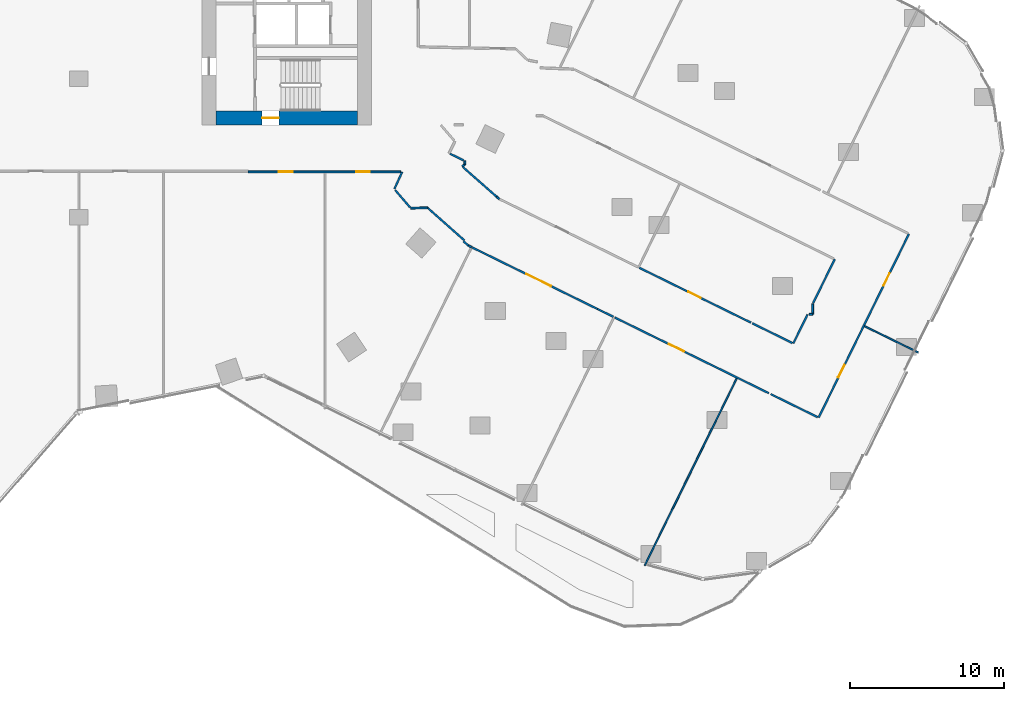
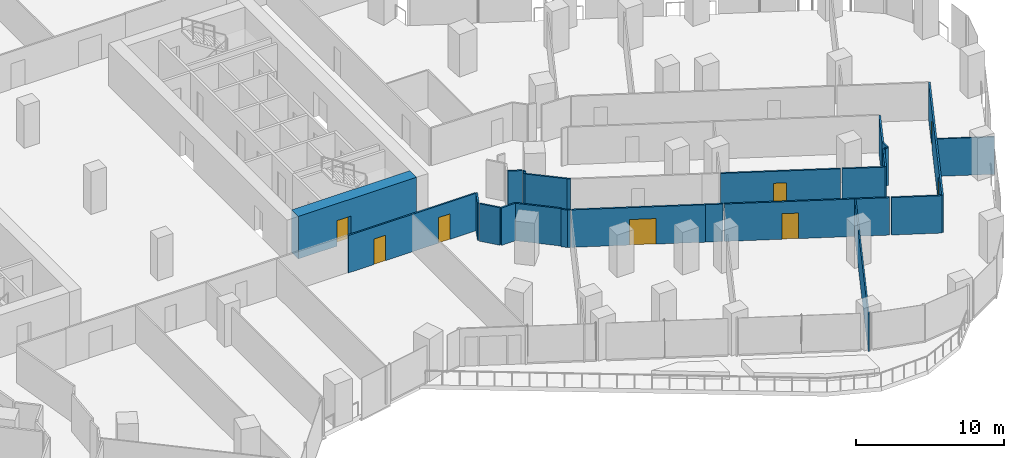
# One storey, part 25 of 32: 26 walls, 8 doors, 8 openings.
"""IFC4 building model written with IfcOpenShell, lengths in metres."""

import ifcopenshell
import ifcopenshell.guid

model = None  # the IFC model being written
_history = None  # IfcOwnerHistory: only IFC2X3 demands one
_inside = {}  # id of a spatial element -> (the spatial element, [elements in it])
_under = {}  # id of a project, library or spatial element -> (it, [spatial elements below it])
_declared = {}  # id of a project -> (the project, [libraries it declares])
_typed = {}  # id of a type object -> (the type object, [elements of that type])
_made_of = {}  # id of a material, layer set ... -> (it, [elements and type objects made of it])


def new_model(schema):
    """Start an empty IFC model of exactly this schema.

    Asked for "IFC4X3", IfcOpenShell would pick the latest addendum, in which some entities
    have other attributes; the version numbers below select the first issue.
    IFC2X3 requires an IfcOwnerHistory on every rooted entity: one is made here for all.
    """
    global model, _history
    if schema == "IFC4X3":
        model = ifcopenshell.file(schema_version=(4, 3, 0, 0))
    else:
        model = ifcopenshell.file(schema=schema)
    _inside.clear()
    _under.clear()
    _declared.clear()
    _typed.clear()
    _made_of.clear()
    _history = None
    if model.schema == "IFC2X3":
        org = make("IfcOrganization", Name="unknown")
        user = make(
            "IfcPersonAndOrganization",
            ThePerson=make("IfcPerson", FamilyName="unknown"),
            TheOrganization=org,
        )
        app = make(
            "IfcApplication",
            ApplicationDeveloper=org,
            Version="unknown",
            ApplicationFullName="unknown",
            ApplicationIdentifier="unknown",
        )
        _history = make(
            "IfcOwnerHistory",
            OwningUser=user,
            OwningApplication=app,
            ChangeAction="ADDED",
            CreationDate=0,
        )
    return model


def make(cls, **values):
    """One entity of the class cls with the attributes given. An attribute that is None is left unset."""
    return model.create_entity(
        cls, **{name: value for name, value in values.items() if value is not None}
    )


def rooted(cls, **values):
    """An entity with a GlobalId (a new one), such as an element, a storey or a relation."""
    return make(cls, GlobalId=ifcopenshell.guid.new(), OwnerHistory=_history, **values)


def si_unit(unit_type, name, prefix=None):
    """IfcSIUnit, for example si_unit("LENGTHUNIT", "METRE", prefix="MILLI")."""
    return make("IfcSIUnit", UnitType=unit_type, Prefix=prefix, Name=name)


def assignment(units):
    """IfcUnitAssignment: the units of a project."""
    return None if units is None else make("IfcUnitAssignment", Units=units)


def point(xyz):
    """IfcCartesianPoint."""
    return None if xyz is None else make("IfcCartesianPoint", Coordinates=xyz)


def direction(xyz):
    """IfcDirection."""
    return None if xyz is None else make("IfcDirection", DirectionRatios=xyz)


def frame(location, z_axis=None, x_axis=None):
    """IfcAxis2Placement3D, a coordinate frame: its origin and axes. An axis left out is left unset."""
    return make(
        "IfcAxis2Placement3D",
        Location=point(location),
        Axis=direction(z_axis),
        RefDirection=direction(x_axis),
    )


def frame_2d(location, x_axis=None):
    """IfcAxis2Placement2D, a coordinate frame in the plane: its origin and x axis."""
    return make(
        "IfcAxis2Placement2D", Location=point(location), RefDirection=direction(x_axis)
    )


def origin():
    """The frame at (0, 0, 0) with its axes left unset."""
    return frame((0.0, 0.0, 0.0))


def place(relative_to, where):
    """IfcLocalPlacement: puts the frame where relative to a parent placement (None: the world)."""
    return make(
        "IfcLocalPlacement", PlacementRelTo=relative_to, RelativePlacement=where
    )


def context(
    kind, dimensions, precision=None, world=None, true_north=None, identifier=None
):
    """IfcGeometricRepresentationContext, for example the 3D "Model" context."""
    return make(
        "IfcGeometricRepresentationContext",
        ContextIdentifier=identifier,
        ContextType=kind,
        CoordinateSpaceDimension=dimensions,
        Precision=precision,
        WorldCoordinateSystem=world,
        TrueNorth=true_north,
    )


def subcontext(parent, identifier, kind, view, scale=None):
    """IfcGeometricRepresentationSubContext, for example "Body" below "Model"."""
    return make(
        "IfcGeometricRepresentationSubContext",
        ContextIdentifier=identifier,
        ContextType=kind,
        ParentContext=parent,
        TargetScale=scale,
        TargetView=view,
    )


def project(units=None, contexts=None):
    """IfcProject with its units and contexts."""
    return rooted(
        "IfcProject",
        Name="project",
        RepresentationContexts=contexts,
        UnitsInContext=assignment(units),
    )


def spatial(cls, under=None, at=None, **own):
    """A site, building, storey or space (cls), placed at a placement, below another one or the project."""
    s = rooted(cls, ObjectPlacement=at, **own)
    if under is not None:
        _under.setdefault(under.id(), (under, []))[1].append(s)
    return s


def profile(cls, at=None, kind="AREA", **sizes):
    """A parametric profile (cls). Its sizes go by their IFC names, for example OverallWidth=200.0."""
    return make(cls, ProfileType=kind, Position=at, **sizes)


def rectangle(**sizes):
    """IfcRectangleProfileDef."""
    return profile("IfcRectangleProfileDef", **sizes)


def extrude(swept, where, along, depth):
    """IfcExtrudedAreaSolid: the profile swept, set in the frame where, extruded along a direction by depth."""
    return make(
        "IfcExtrudedAreaSolid",
        SweptArea=swept,
        Position=where,
        ExtrudedDirection=direction(along),
        Depth=depth,
    )


def shape(context_of_items, identifier, shape_type, items):
    """IfcShapeRepresentation: the items that make up one representation, for example the "Body"."""
    return make(
        "IfcShapeRepresentation",
        ContextOfItems=context_of_items,
        RepresentationIdentifier=identifier,
        RepresentationType=shape_type,
        Items=items,
    )


def material(Name=None, Category=None):
    """IfcMaterial."""
    return make("IfcMaterial", Name=Name, Category=Category)


def layer(
    of_material, thickness, ventilated=None, Name=None, Category=None, Priority=None
):
    """IfcMaterialLayer: one layer of a wall or slab, of a material (None: an air gap)."""
    return make(
        "IfcMaterialLayer",
        Material=of_material,
        LayerThickness=thickness,
        IsVentilated=ventilated,
        Name=Name,
        Category=Category,
        Priority=Priority,
    )


def layer_set(layers, Name=None):
    """IfcMaterialLayerSet."""
    return make("IfcMaterialLayerSet", MaterialLayers=layers, LayerSetName=Name)


def made_of(thing, what):
    """Note that an element or type object is made of a material, layer set ...; save() writes the relation."""
    if what is not None:
        _made_of.setdefault(what.id(), (what, []))[1].append(thing)
    return thing


def type_object(cls, material=None, **own):
    """A type object (cls), such as IfcWallType, which elements share."""
    return made_of(rooted(cls, **own), material)


def element(
    cls,
    number,
    at=None,
    inside=None,
    cuts=None,
    type_object=None,
    material=None,
    context=None,
    identifier="Body",
    shape_type=None,
    held_by="IfcProductDefinitionShape",
    body=None,
    shapes=None,
    **own,
):
    """One element of the class cls, such as IfcWall. Its Tag is "e" and its number.

    at: its placement. inside: the storey or other place that contains it. cuts: it is an
    opening in that element (IfcRelVoidsElement). A single representation is given by context,
    identifier, shape_type and body (its items); several are given by shapes. held_by: the class
    of the entity that holds the representations. save() writes the other relations.
    """
    e = rooted(cls, Tag="e%d" % number, ObjectPlacement=at, **own)
    if body is not None:
        shapes = [shape(context, identifier, shape_type, body)]
    if shapes is not None:
        e.Representation = make(held_by, Representations=shapes)
    if inside is not None:
        _inside.setdefault(inside.id(), (inside, []))[1].append(e)
    if cuts is not None:
        rooted(
            "IfcRelVoidsElement", RelatingBuildingElement=cuts, RelatedOpeningElement=e
        )
    if type_object is not None:
        _typed.setdefault(type_object.id(), (type_object, []))[1].append(e)
    return made_of(e, material)


def fill(opening, filler):
    """IfcRelFillsElement: the door or window that sits in an opening."""
    return rooted(
        "IfcRelFillsElement",
        RelatingOpeningElement=opening,
        RelatedBuildingElement=filler,
    )


def aggregate(whole, parts):
    """IfcRelAggregates: a whole, such as a stair, and the parts it consists of."""
    return rooted("IfcRelAggregates", RelatingObject=whole, RelatedObjects=parts)


def save(model, path):
    """Write the relations noted so far, then the file.

    IfcRelAggregates (storeys below a building ...), IfcRelContainedInSpatialStructure (elements
    in a storey), IfcRelDefinesByType, IfcRelAssociatesMaterial and IfcRelDeclares: one each for
    every whole, place, type object, material and project.
    """
    for whole, parts in _under.values():
        aggregate(whole, parts)
    for where, things in _inside.values():
        rooted(
            "IfcRelContainedInSpatialStructure",
            RelatedElements=things,
            RelatingStructure=where,
        )
    for kind, things in _typed.values():
        rooted("IfcRelDefinesByType", RelatedObjects=things, RelatingType=kind)
    for what, things in _made_of.values():
        rooted("IfcRelAssociatesMaterial", RelatedObjects=things, RelatingMaterial=what)
    for by, libraries in _declared.values():
        rooted("IfcRelDeclares", RelatingContext=by, RelatedDefinitions=libraries)
    model.write(path)


model = new_model("IFC4")

# Units and contexts
model_context = context("Model", 3, precision=1e-05, world=origin(), true_north=direction((0.0, 1.0)))
body_context = subcontext(model_context, "Body", "Model", "MODEL_VIEW")
ifc_project = project(units=[si_unit("LENGTHUNIT", "METRE"), si_unit("AREAUNIT", "SQUARE_METRE"), si_unit("VOLUMEUNIT", "CUBIC_METRE"), si_unit("PLANEANGLEUNIT", "RADIAN"), si_unit("MASSUNIT", "GRAM", prefix="KILO")], contexts=[model_context])

# Site, building, storey
site_placement = place(None, origin())
site = spatial("IfcSite", under=ifc_project, at=site_placement, CompositionType="ELEMENT")
building_placement = place(site_placement, origin())
building = spatial("IfcBuilding", under=site, at=building_placement, Name="Orlundy Tower", CompositionType="ELEMENT")
storey_placement = place(building_placement, frame((0.0, 0.0, 58.800048828125)))
storey = spatial("IfcBuildingStorey", under=building, at=storey_placement, Name="L13", CompositionType="ELEMENT", Elevation=58.800048828125)

# Wall, opening, door
ifc_material_1 = material(Name="Concrete C80/95", Category="concrete")
ifc_layer_1 = layer(ifc_material_1, 0.89990234375)
ifc_layer_set_1 = layer_set([ifc_layer_1], Name="CORE WALL 900 C80/95")
wall_type_1 = type_object("IfcWallType", Name="CORE WALL 900 C80/95", PredefinedType="SHEAR", material=ifc_layer_set_1)
wall_1_placement = place(storey_placement, frame((8.89990234375, -11.550048828125, 0.0), z_axis=(0.0, 0.0, 1.0), x_axis=(1.0, 0.0, 0.0)))
wall_1 = element("IfcWall", 1, at=wall_1_placement, inside=storey, type_object=wall_type_1, Name="Core wall E-S L13", PredefinedType="SHEAR", context=body_context, shape_type="SweptSolid", body=[
    extrude(rectangle(XDim=9.2001953125, YDim=0.89990234375, at=frame_2d((4.60009765625, 0.0))), origin(), (0.0, 0.0, 1.0), 3.5),
])
opening_1_placement = place(wall_1_placement, frame((3.0, 0.0, 0.0)))
opening_1 = element("IfcOpeningElement", 2, at=opening_1_placement, cuts=wall_1, Name="Opening 12061", PredefinedType="OPENING", context=body_context, shape_type="SweptSolid", body=[
    extrude(rectangle(XDim=1.10009765625, YDim=2.10009765625, at=frame_2d((0.550048828125, 1.050048828125))), frame((0.0, 0.4599609375, 0.0), z_axis=(0.0, -1.0, 0.0), x_axis=(1.0, 0.0, 0.0)), (0.0, 0.0, 1.0), 0.919921875),
])
ifc_material_2 = material(Name="Steel door set", Category="steel")
door_type_1 = type_object("IfcDoorType", Name="Stair Door 1100x2100", OperationType="SINGLE_SWING_LEFT", PredefinedType="DOOR", material=ifc_material_2)
door_1_placement = place(opening_1_placement, origin())
door_1 = element("IfcDoor", 3, at=door_1_placement, inside=storey, type_object=door_type_1, Name="Stair door 12061", OperationType="SINGLE_SWING_LEFT", OverallHeight=2.10009765625, OverallWidth=1.10009765625, PredefinedType="DOOR", context=body_context, shape_type="SweptSolid", body=[
    extrude(rectangle(XDim=1.10009765625, YDim=2.10009765625, at=frame_2d((0.550048828125, 1.050048828125))), frame((0.0, 0.02490234375, 0.0), z_axis=(0.0, -1.0, 0.0), x_axis=(1.0, 0.0, 0.0)), (0.0, 0.0, 1.0), 0.050048828125),
])
fill(opening_1, door_1)

# Walls
ifc_material_3 = material(Name="Gypsum board partition")
ifc_layer_2 = layer(ifc_material_3, 0.10009765625)
ifc_layer_set_2 = layer_set([ifc_layer_2], Name="Floor partition 100")
wall_type_2 = type_object("IfcWallType", Name="Floor partition 100", PredefinedType="PARTITIONING", material=ifc_layer_set_2)
wall_2_placement = place(storey_placement, frame((51.035888671875, -25.075927734375, 0.0), z_axis=(0.0, 0.0, 1.0), x_axis=(0.897583548385, -0.440844387136, 0.0)))
element("IfcWall", 4, at=wall_2_placement, inside=storey, type_object=wall_type_2, Name="wall-int-L13-033", PredefinedType="PARTITIONING", context=body_context, shape_type="SweptSolid", body=[
    extrude(rectangle(XDim=3.885986328125, YDim=0.10009765625, at=frame_2d((1.94287109375, 0.0))), origin(), (0.0, 0.0, 1.0), 3.079833984375),
])
wall_3_placement = place(storey_placement, frame((36.75390625, -40.6201171875, 0.0), z_axis=(0.0, 0.0, 1.0), x_axis=(0.440962253121, 0.897525649395, 0.0)))
element("IfcWall", 5, at=wall_3_placement, inside=storey, type_object=wall_type_2, Name="wall-int-L13-082", PredefinedType="PARTITIONING", context=body_context, shape_type="SweptSolid", body=[
    extrude(rectangle(XDim=13.536376953125, YDim=0.10009765625, at=frame_2d((6.76806640625, 0.0))), origin(), (0.0, 0.0, 1.0), 3.079833984375),
])
ifc_material_4 = material(Name="Gypsum board partition, double layer")
ifc_layer_3 = layer(ifc_material_4, 0.125)
ifc_layer_set_3 = layer_set([ifc_layer_3], Name="Floor partition 125")
wall_type_3 = type_object("IfcWallType", Name="Floor partition 125", PredefinedType="PARTITIONING", material=ifc_layer_set_3)
wall_4_placement = place(storey_placement, frame((20.552978515625, -16.2451171875, 0.0), z_axis=(0.0, 0.0, 1.0), x_axis=(0.65185455754, -0.758344008886, 0.0)))
element("IfcWall", 6, at=wall_4_placement, inside=storey, type_object=wall_type_3, Name="wall-int-L13-005", PredefinedType="PARTITIONING", context=body_context, shape_type="SweptSolid", body=[
    extrude(rectangle(XDim=1.47412109375, YDim=0.125, at=frame_2d((0.737060546875, 0.0))), origin(), (0.0, 0.0, 1.0), 3.079833984375),
])
wall_5_placement = place(storey_placement, frame((24.947021484375, -14.7451171875, 0.0), z_axis=(0.0, 0.0, 1.0), x_axis=(0.751005565427, -0.660295873603, 0.0)))
element("IfcWall", 7, at=wall_5_placement, inside=storey, type_object=wall_type_3, Name="wall-int-L13-007", PredefinedType="PARTITIONING", context=body_context, shape_type="SweptSolid", body=[
    extrude(rectangle(XDim=2.9013671875, YDim=0.125, at=frame_2d((1.45068359375, 0.0))), origin(), (0.0, 0.0, 1.0), 3.079833984375),
])
wall_6_placement = place(storey_placement, frame((22.65087890625, -17.387939453125, 0.0), z_axis=(0.0, 0.0, 1.0), x_axis=(0.748538321382, -0.663091533216, 0.0)))
element("IfcWall", 8, at=wall_6_placement, inside=storey, type_object=wall_type_3, Name="wall-int-L13-009", PredefinedType="PARTITIONING", context=body_context, shape_type="SweptSolid", body=[
    extrude(rectangle(XDim=3.1943359375, YDim=0.125, at=frame_2d((1.59716796875, 0.0))), origin(), (0.0, 0.0, 1.0), 3.079833984375),
])
wall_7_placement = place(storey_placement, frame((27.1259765625, -16.660888671875, 0.0), z_axis=(0.0, 0.0, 1.0), x_axis=(0.758443722334, -0.651738536571, 0.0)))
element("IfcWall", 9, at=wall_7_placement, inside=storey, type_object=wall_type_3, Name="wall-int-L13-023", PredefinedType="PARTITIONING", context=body_context, shape_type="SweptSolid", body=[
    extrude(rectangle(XDim=0.2333984375, YDim=0.125, at=frame_2d((0.11669921875, 0.0))), origin(), (0.0, 0.0, 1.0), 3.079833984375),
])
wall_8_placement = place(storey_placement, frame((24.986083984375, -19.569091796875, 0.0), z_axis=(0.0, 0.0, 1.0), x_axis=(0.759419144431, -0.650601693106, 0.0)))
element("IfcWall", 10, at=wall_8_placement, inside=storey, type_object=wall_type_3, Name="wall-int-L13-024", PredefinedType="PARTITIONING", context=body_context, shape_type="SweptSolid", body=[
    extrude(rectangle(XDim=0.424072265625, YDim=0.125, at=frame_2d((0.2119140625, 0.0))), origin(), (0.0, 0.0, 1.0), 3.079833984375),
])

# Wall, opening, door
wall_9_placement = place(storey_placement, frame((33.680908203125, -23.958984375, 0.0), z_axis=(0.0, 0.0, 1.0), x_axis=(-0.897502075903, 0.44101023089, 0.0)))
wall_9 = element("IfcWall", 11, at=wall_9_placement, inside=storey, type_object=wall_type_3, Name="wall-int-L13-027", PredefinedType="PARTITIONING", context=body_context, shape_type="SweptSolid", body=[
    extrude(rectangle(XDim=9.0517578125, YDim=0.125, at=frame_2d((4.52587890625, 0.0))), origin(), (0.0, 0.0, 1.0), 3.079833984375),
])
opening_2_placement = place(wall_9_placement, frame((3.35009765625, 0.0, 0.0)))
opening_2 = element("IfcOpeningElement", 12, at=opening_2_placement, cuts=wall_9, Name="Opening 12107", PredefinedType="OPENING", context=body_context, shape_type="SweptSolid", body=[
    extrude(rectangle(XDim=1.800048828125, YDim=2.10009765625, at=frame_2d((0.89990234375, 1.050048828125))), frame((0.0, 0.072509765625, 0.0), z_axis=(0.0, -1.0, 0.0), x_axis=(1.0, 0.0, 0.0)), (0.0, 0.0, 1.0), 0.14501953125),
])
ifc_material_5 = material(Name="Timber door leaf", Category="wood")
door_type_2 = type_object("IfcDoorType", Name="Floor door double 1800 FD30S", OperationType="NOTDEFINED", PredefinedType="DOOR", material=ifc_material_5)
door_2_placement = place(opening_2_placement, origin())
door_2 = element("IfcDoor", 13, at=door_2_placement, inside=storey, type_object=door_type_2, Name="Door 12107", OperationType="DOUBLE_DOOR_SINGLE_SWING", OverallHeight=2.10009765625, OverallWidth=1.800048828125, PredefinedType="DOOR", context=body_context, shape_type="SweptSolid", body=[
    extrude(rectangle(XDim=1.800048828125, YDim=2.10009765625, at=frame_2d((0.89990234375, 1.050048828125))), frame((0.0, 0.02490234375, 0.0), z_axis=(0.0, -1.0, 0.0), x_axis=(1.0, 0.0, 0.0)), (0.0, 0.0, 1.0), 0.050048828125),
])
fill(opening_2, door_2)

wall_10_placement = place(storey_placement, frame((44.81494140625, -29.428955078125, 0.0), z_axis=(0.0, 0.0, 1.0), x_axis=(-0.8975062817, 0.441001671549, 0.0)))
wall_10 = element("IfcWall", 14, at=wall_10_placement, inside=storey, type_object=wall_type_3, Name="wall-int-L13-028", PredefinedType="PARTITIONING", context=body_context, shape_type="SweptSolid", body=[
    extrude(rectangle(XDim=11.149658203125, YDim=0.125, at=frame_2d((5.57470703125, 0.0))), origin(), (0.0, 0.0, 1.0), 3.079833984375),
])
opening_3_placement = place(wall_10_placement, frame((6.149169921875, 0.0, 0.0)))
opening_3 = element("IfcOpeningElement", 15, at=opening_3_placement, cuts=wall_10, Name="Opening 12108", PredefinedType="OPENING", context=body_context, shape_type="SweptSolid", body=[
    extrude(rectangle(XDim=1.10009765625, YDim=2.10009765625, at=frame_2d((0.550048828125, 1.050048828125))), frame((0.0, 0.072509765625, 0.0), z_axis=(0.0, -1.0, 0.0), x_axis=(1.0, 0.0, 0.0)), (0.0, 0.0, 1.0), 0.14501953125),
])
ifc_material_6 = material(Name="Timber door leaf", Category="wood")
door_type_3 = type_object("IfcDoorType", Name="Floor door xwide 1100 FD30S", OperationType="NOTDEFINED", PredefinedType="DOOR", material=ifc_material_6)
door_3_placement = place(opening_3_placement, origin())
door_3 = element("IfcDoor", 16, at=door_3_placement, inside=storey, type_object=door_type_3, Name="Door 12108", OperationType="SINGLE_SWING_RIGHT", OverallHeight=2.10009765625, OverallWidth=1.10009765625, PredefinedType="DOOR", context=body_context, shape_type="SweptSolid", body=[
    extrude(rectangle(XDim=1.10009765625, YDim=2.10009765625, at=frame_2d((0.550048828125, 1.050048828125))), frame((0.0, 0.02490234375, 0.0), z_axis=(0.0, -1.0, 0.0), x_axis=(1.0, 0.0, 0.0)), (0.0, 0.0, 1.0), 0.050048828125),
])
fill(opening_3, door_3)

# Wall
wall_11_placement = place(storey_placement, frame((44.931884765625, -29.487060546875, 0.0), z_axis=(0.0, 0.0, 1.0), x_axis=(0.897586164131, -0.440839061291, 0.0)))
element("IfcWall", 17, at=wall_11_placement, inside=storey, type_object=wall_type_3, Name="wall-int-L13-029", PredefinedType="PARTITIONING", context=body_context, shape_type="SweptSolid", body=[
    extrude(rectangle(XDim=3.406982421875, YDim=0.125, at=frame_2d((1.70361328125, 0.0))), origin(), (0.0, 0.0, 1.0), 3.079833984375),
])

# Wall, opening, door
wall_12_placement = place(storey_placement, frame((36.39599609375, -21.280029296875, 0.0), z_axis=(0.0, 0.0, 1.0), x_axis=(0.897479279636, -0.441056620656, 0.0)))
wall_12 = element("IfcWall", 18, at=wall_12_placement, inside=storey, type_object=wall_type_3, Name="wall-int-L13-031", PredefinedType="PARTITIONING", context=body_context, shape_type="SweptSolid", body=[
    extrude(rectangle(XDim=8.087158203125, YDim=0.125, at=frame_2d((4.04345703125, 0.0))), origin(), (0.0, 0.0, 1.0), 3.079833984375),
])
opening_4_placement = place(wall_12_placement, frame((3.550048828125, 0.0, 0.0)))
opening_4 = element("IfcOpeningElement", 19, at=opening_4_placement, cuts=wall_12, Name="Opening 12104", PredefinedType="OPENING", context=body_context, shape_type="SweptSolid", body=[
    extrude(rectangle(XDim=0.89990234375, YDim=2.10009765625, at=frame_2d((0.449951171875, 1.050048828125))), frame((0.0, 0.072509765625, 0.0), z_axis=(0.0, -1.0, 0.0), x_axis=(1.0, 0.0, 0.0)), (0.0, 0.0, 1.0), 0.14501953125),
])
ifc_material_7 = material(Name="Timber door leaf", Category="wood")
door_type_4 = type_object("IfcDoorType", Name="Floor door single 900 FD30S", OperationType="NOTDEFINED", PredefinedType="DOOR", material=ifc_material_7)
door_4_placement = place(opening_4_placement, origin())
door_4 = element("IfcDoor", 20, at=door_4_placement, inside=storey, type_object=door_type_4, Name="Door 12104", OperationType="SINGLE_SWING_LEFT", OverallHeight=2.10009765625, OverallWidth=0.89990234375, PredefinedType="DOOR", context=body_context, shape_type="SweptSolid", body=[
    extrude(rectangle(XDim=0.89990234375, YDim=2.10009765625, at=frame_2d((0.449951171875, 1.050048828125))), frame((0.0, 0.02490234375, 0.0), z_axis=(0.0, -1.0, 0.0), x_axis=(1.0, 0.0, 0.0)), (0.0, 0.0, 1.0), 0.050048828125),
])
fill(opening_4, door_4)

# Walls
wall_13_placement = place(storey_placement, frame((43.7470703125, -24.89208984375, 0.0), z_axis=(0.0, 0.0, 1.0), x_axis=(0.897391556566, -0.441235078165, 0.0)))
element("IfcWall", 21, at=wall_13_placement, inside=storey, type_object=wall_type_3, Name="wall-int-L13-032", PredefinedType="PARTITIONING", context=body_context, shape_type="SweptSolid", body=[
    extrude(rectangle(XDim=2.89599609375, YDim=0.125, at=frame_2d((1.447998046875, 0.0))), origin(), (0.0, 0.0, 1.0), 3.079833984375),
])
wall_14_placement = place(storey_placement, frame((25.30810546875, -19.844970703125, 0.0), z_axis=(0.0, 0.0, 1.0), x_axis=(0.897628948174, -0.440751938624, 0.0)))
element("IfcWall", 22, at=wall_14_placement, inside=storey, type_object=wall_type_3, Name="wall-int-L13-037", PredefinedType="PARTITIONING", context=body_context, shape_type="SweptSolid", body=[
    extrude(rectangle(XDim=0.22705078125, YDim=0.125, at=frame_2d((0.113525390625, 0.0))), origin(), (0.0, 0.0, 1.0), 3.079833984375),
])
wall_15_placement = place(storey_placement, frame((33.680908203125, -23.958984375, 0.0), z_axis=(0.0, 0.0, 1.0), x_axis=(0.897699526178, -0.440608171394, 0.0)))
element("IfcWall", 23, at=wall_15_placement, inside=storey, type_object=wall_type_3, Name="wall-int-L13-038", PredefinedType="PARTITIONING", context=body_context, shape_type="SweptSolid", body=[
    extrude(rectangle(XDim=1.1552734375, YDim=0.125, at=frame_2d((0.57763671875, 0.0))), origin(), (0.0, 0.0, 1.0), 3.079833984375),
])
wall_16_placement = place(storey_placement, frame((24.10400390625, -13.876953125, 0.0), z_axis=(0.0, 0.0, 1.0), x_axis=(0.900272548254, -0.435326703593, 0.0)))
element("IfcWall", 24, at=wall_16_placement, inside=storey, type_object=wall_type_3, Name="wall-int-L13-040", PredefinedType="PARTITIONING", context=body_context, shape_type="SweptSolid", body=[
    extrude(rectangle(XDim=0.98095703125, YDim=0.125, at=frame_2d((0.490478515625, 0.0))), origin(), (0.0, 0.0, 1.0), 3.079833984375),
])
wall_17_placement = place(storey_placement, frame((47.429931640625, -24.31005859375, 0.0), z_axis=(0.0, 0.0, 1.0), x_axis=(1.0, 0.0, 0.0)))
element("IfcWall", 25, at=wall_17_placement, inside=storey, type_object=wall_type_3, Name="wall-int-L13-047", PredefinedType="PARTITIONING", context=body_context, shape_type="SweptSolid", body=[
    extrude(rectangle(XDim=0.232177734375, YDim=0.125, at=frame_2d((0.1162109375, 0.0))), origin(), (0.0, 0.0, 1.0), 3.079833984375),
])

# Wall, openings, doors
wall_18_placement = place(storey_placement, frame((20.906005859375, -15.051025390625, 0.0), z_axis=(0.0, 0.0, 1.0), x_axis=(-1.0, 0.0, 0.0)))
wall_18 = element("IfcWall", 26, at=wall_18_placement, inside=storey, type_object=wall_type_3, Name="wall-int-L13-049", PredefinedType="PARTITIONING", context=body_context, shape_type="SweptSolid", body=[
    extrude(rectangle(XDim=9.9150390625, YDim=0.125, at=frame_2d((4.95751953125, 0.0))), origin(), (0.0, 0.0, 1.0), 3.079833984375),
])
opening_5_placement = place(wall_18_placement, frame((7.007568359375, 0.0, 0.0)))
opening_5 = element("IfcOpeningElement", 27, at=opening_5_placement, cuts=wall_18, Name="Opening 12124", PredefinedType="OPENING", context=body_context, shape_type="SweptSolid", body=[
    extrude(rectangle(XDim=0.89990234375, YDim=2.10009765625, at=frame_2d((0.449951171875, 1.050048828125))), frame((0.0, 0.072509765625, 0.0), z_axis=(0.0, -1.0, 0.0), x_axis=(1.0, 0.0, 0.0)), (0.0, 0.0, 1.0), 0.14501953125),
])
opening_6_placement = place(wall_18_placement, frame((2.00244140625, 0.0, 0.0)))
opening_6 = element("IfcOpeningElement", 28, at=opening_6_placement, cuts=wall_18, Name="Opening 12125", PredefinedType="OPENING", context=body_context, shape_type="SweptSolid", body=[
    extrude(rectangle(XDim=0.89990234375, YDim=2.10009765625, at=frame_2d((0.449951171875, 1.050048828125))), frame((0.0, 0.072509765625, 0.0), z_axis=(0.0, -1.0, 0.0), x_axis=(1.0, 0.0, 0.0)), (0.0, 0.0, 1.0), 0.14501953125),
])
door_5_placement = place(opening_5_placement, origin())
door_5 = element("IfcDoor", 29, at=door_5_placement, inside=storey, type_object=door_type_4, Name="Door 12124", OperationType="SINGLE_SWING_RIGHT", OverallHeight=2.10009765625, OverallWidth=0.89990234375, PredefinedType="DOOR", context=body_context, shape_type="SweptSolid", body=[
    extrude(rectangle(XDim=0.89990234375, YDim=2.10009765625, at=frame_2d((0.449951171875, 1.050048828125))), frame((0.0, 0.02490234375, 0.0), z_axis=(0.0, -1.0, 0.0), x_axis=(1.0, 0.0, 0.0)), (0.0, 0.0, 1.0), 0.050048828125),
])
fill(opening_5, door_5)
door_6_placement = place(opening_6_placement, origin())
door_6 = element("IfcDoor", 30, at=door_6_placement, inside=storey, type_object=door_type_4, Name="Door 12125", OperationType="SINGLE_SWING_LEFT", OverallHeight=2.10009765625, OverallWidth=0.89990234375, PredefinedType="DOOR", context=body_context, shape_type="SweptSolid", body=[
    extrude(rectangle(XDim=0.89990234375, YDim=2.10009765625, at=frame_2d((0.449951171875, 1.050048828125))), frame((0.0, 0.02490234375, 0.0), z_axis=(0.0, -1.0, 0.0), x_axis=(1.0, 0.0, 0.0)), (0.0, 0.0, 1.0), 0.050048828125),
])
fill(opening_6, door_6)

# Walls
wall_19_placement = place(storey_placement, frame((24.89990234375, -14.701904296875, 0.0), z_axis=(0.0, 0.0, 1.0), x_axis=(0.76279062292, 0.646645548648, 0.0)))
element("IfcWall", 31, at=wall_19_placement, inside=storey, type_object=wall_type_3, Name="wall-int-L13-063", PredefinedType="PARTITIONING", context=body_context, shape_type="SweptSolid", body=[
    extrude(rectangle(XDim=0.2333984375, YDim=0.125, at=frame_2d((0.11669921875, 0.0))), origin(), (0.0, 0.0, 1.0), 3.079833984375),
])
wall_20_placement = place(storey_placement, frame((21.555908203125, -17.409912109375, 0.0), z_axis=(0.0, 0.0, 1.0), x_axis=(0.999798720757, 0.020062850584, 0.0)))
element("IfcWall", 32, at=wall_20_placement, inside=storey, type_object=wall_type_3, Name="wall-int-L13-065", PredefinedType="PARTITIONING", context=body_context, shape_type="SweptSolid", body=[
    extrude(rectangle(XDim=1.09521484375, YDim=0.125, at=frame_2d((0.547607421875, 0.0))), origin(), (0.0, 0.0, 1.0), 3.079833984375),
])

# Wall, openings, doors
wall_21_placement = place(storey_placement, frame((53.910888671875, -19.083984375, 0.0), z_axis=(0.0, 0.0, 1.0), x_axis=(-0.441018582797, -0.897497971935, 0.0)))
wall_21 = element("IfcWall", 33, at=wall_21_placement, inside=storey, type_object=wall_type_3, Name="wall-int-L13-079", PredefinedType="PARTITIONING", context=body_context, shape_type="SweptSolid", body=[
    extrude(rectangle(XDim=13.2958984375, YDim=0.125, at=frame_2d((6.64794921875, 0.0))), origin(), (0.0, 0.0, 1.0), 3.079833984375),
])
opening_7_placement = place(wall_21_placement, frame((9.495361328125, 0.0, 0.0)))
opening_7 = element("IfcOpeningElement", 34, at=opening_7_placement, cuts=wall_21, Name="Opening 12105", PredefinedType="OPENING", context=body_context, shape_type="SweptSolid", body=[
    extrude(rectangle(XDim=0.89990234375, YDim=2.10009765625, at=frame_2d((0.449951171875, 1.050048828125))), frame((0.0, 0.072509765625, 0.0), z_axis=(0.0, -1.0, 0.0), x_axis=(1.0, 0.0, 0.0)), (0.0, 0.0, 1.0), 0.14501953125),
])
opening_8_placement = place(wall_21_placement, frame((2.84619140625, 0.0, 0.0)))
opening_8 = element("IfcOpeningElement", 35, at=opening_8_placement, cuts=wall_21, Name="Opening 12106", PredefinedType="OPENING", context=body_context, shape_type="SweptSolid", body=[
    extrude(rectangle(XDim=0.89990234375, YDim=2.10009765625, at=frame_2d((0.449951171875, 1.050048828125))), frame((0.0, 0.072509765625, 0.0), z_axis=(0.0, -1.0, 0.0), x_axis=(1.0, 0.0, 0.0)), (0.0, 0.0, 1.0), 0.14501953125),
])
door_7_placement = place(opening_7_placement, origin())
door_7 = element("IfcDoor", 36, at=door_7_placement, inside=storey, type_object=door_type_4, Name="Door 12105", OperationType="SINGLE_SWING_RIGHT", OverallHeight=2.10009765625, OverallWidth=0.89990234375, PredefinedType="DOOR", context=body_context, shape_type="SweptSolid", body=[
    extrude(rectangle(XDim=0.89990234375, YDim=2.10009765625, at=frame_2d((0.449951171875, 1.050048828125))), frame((0.0, 0.02490234375, 0.0), z_axis=(0.0, -1.0, 0.0), x_axis=(1.0, 0.0, 0.0)), (0.0, 0.0, 1.0), 0.050048828125),
])
fill(opening_7, door_7)
door_8_placement = place(opening_8_placement, origin())
door_8 = element("IfcDoor", 37, at=door_8_placement, inside=storey, type_object=door_type_4, Name="Door 12106", OperationType="SINGLE_SWING_LEFT", OverallHeight=2.10009765625, OverallWidth=0.89990234375, PredefinedType="DOOR", context=body_context, shape_type="SweptSolid", body=[
    extrude(rectangle(XDim=0.89990234375, YDim=2.10009765625, at=frame_2d((0.449951171875, 1.050048828125))), frame((0.0, 0.02490234375, 0.0), z_axis=(0.0, -1.0, 0.0), x_axis=(1.0, 0.0, 0.0)), (0.0, 0.0, 1.0), 0.050048828125),
])
fill(opening_8, door_8)

# Walls
wall_22_placement = place(storey_placement, frame((46.403076171875, -26.197021484375, 0.0), z_axis=(0.0, 0.0, 1.0), x_axis=(0.440925238095, 0.897543834256, 0.0)))
element("IfcWall", 38, at=wall_22_placement, inside=storey, type_object=wall_type_3, Name="wall-int-L13-080", PredefinedType="PARTITIONING", context=body_context, shape_type="SweptSolid", body=[
    extrude(rectangle(XDim=2.10009765625, YDim=0.125, at=frame_2d((1.050048828125, 0.0))), origin(), (0.0, 0.0, 1.0), 3.079833984375),
])
wall_23_placement = place(storey_placement, frame((47.69091796875, -23.576904296875, 0.0), z_axis=(0.0, 0.0, 1.0), x_axis=(0.440690066064, 0.897659326066, 0.0)))
element("IfcWall", 39, at=wall_23_placement, inside=storey, type_object=wall_type_3, Name="wall-int-L13-081", PredefinedType="PARTITIONING", context=body_context, shape_type="SweptSolid", body=[
    extrude(rectangle(XDim=3.179443359375, YDim=0.125, at=frame_2d((1.58984375, 0.0))), origin(), (0.0, 0.0, 1.0), 3.079833984375),
])
wall_24_placement = place(storey_placement, frame((20.4970703125, -16.159912109375, 0.0), z_axis=(0.0, 0.0, 1.0), x_axis=(0.417134821579, 0.908844618527, 0.0)))
element("IfcWall", 40, at=wall_24_placement, inside=storey, type_object=wall_type_3, Name="wall-int-L13-091", PredefinedType="PARTITIONING", context=body_context, shape_type="SweptSolid", body=[
    extrude(rectangle(XDim=1.2080078125, YDim=0.125, at=frame_2d((0.60400390625, 0.0))), origin(), (0.0, 0.0, 1.0), 3.079833984375),
])
wall_25_placement = place(storey_placement, frame((47.662109375, -24.31005859375, 0.0), z_axis=(0.0, 0.0, 1.0), x_axis=(0.0, 1.0, 0.0)))
element("IfcWall", 41, at=wall_25_placement, inside=storey, type_object=wall_type_3, Name="wall-int-L13-096", PredefinedType="PARTITIONING", context=body_context, shape_type="SweptSolid", body=[
    extrude(rectangle(XDim=0.676025390625, YDim=0.125, at=frame_2d((0.337890625, 0.0))), origin(), (0.0, 0.0, 1.0), 3.079833984375),
])
wall_26_placement = place(storey_placement, frame((25.077880859375, -14.551025390625, 0.0), z_axis=(0.0, 0.0, 1.0), x_axis=(0.0, 1.0, 0.0)))
element("IfcWall", 42, at=wall_26_placement, inside=storey, type_object=wall_type_3, Name="wall-int-L13-098", PredefinedType="PARTITIONING", context=body_context, shape_type="SweptSolid", body=[
    extrude(rectangle(XDim=0.2041015625, YDim=0.125, at=frame_2d((0.10205078125, 0.0))), origin(), (0.0, 0.0, 1.0), 3.079833984375),
])

save(model, "model.ifc")
